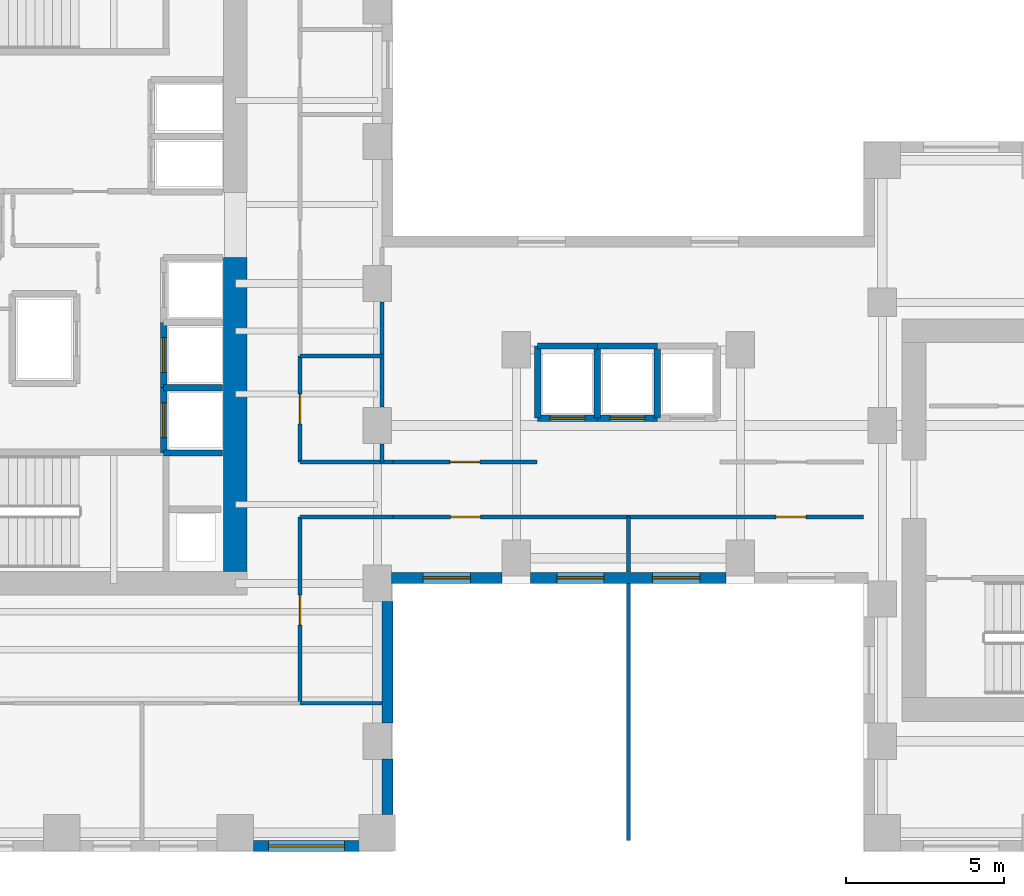
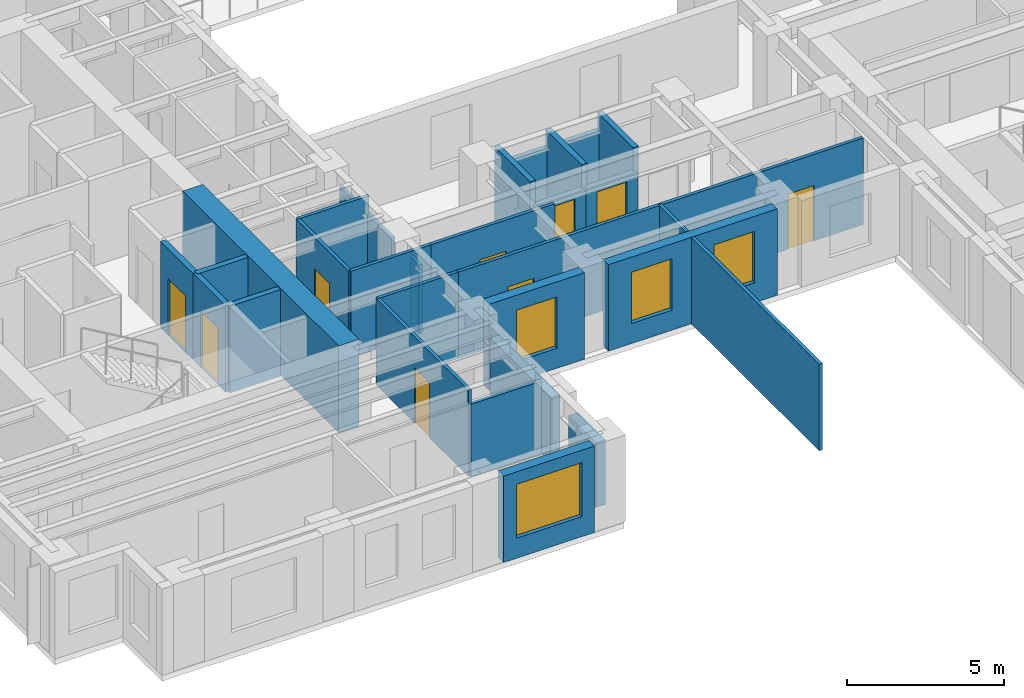
# One storey, part 4 of 11: 30 walls, 9 doors, 4 windows, 13 openings.
"""IFC4 building model written with IfcOpenShell, lengths in metres."""

import ifcopenshell
import ifcopenshell.guid

model = None  # the IFC model being written
_history = None  # IfcOwnerHistory: only IFC2X3 demands one
_inside = {}  # id of a spatial element -> (the spatial element, [elements in it])
_under = {}  # id of a project, library or spatial element -> (it, [spatial elements below it])
_declared = {}  # id of a project -> (the project, [libraries it declares])
_typed = {}  # id of a type object -> (the type object, [elements of that type])
_made_of = {}  # id of a material, layer set ... -> (it, [elements and type objects made of it])


def new_model(schema):
    """Start an empty IFC model of exactly this schema.

    Asked for "IFC4X3", IfcOpenShell would pick the latest addendum, in which some entities
    have other attributes; the version numbers below select the first issue.
    IFC2X3 requires an IfcOwnerHistory on every rooted entity: one is made here for all.
    """
    global model, _history
    if schema == "IFC4X3":
        model = ifcopenshell.file(schema_version=(4, 3, 0, 0))
    else:
        model = ifcopenshell.file(schema=schema)
    _inside.clear()
    _under.clear()
    _declared.clear()
    _typed.clear()
    _made_of.clear()
    _history = None
    if model.schema == "IFC2X3":
        org = make("IfcOrganization", Name="unknown")
        user = make(
            "IfcPersonAndOrganization",
            ThePerson=make("IfcPerson", FamilyName="unknown"),
            TheOrganization=org,
        )
        app = make(
            "IfcApplication",
            ApplicationDeveloper=org,
            Version="unknown",
            ApplicationFullName="unknown",
            ApplicationIdentifier="unknown",
        )
        _history = make(
            "IfcOwnerHistory",
            OwningUser=user,
            OwningApplication=app,
            ChangeAction="ADDED",
            CreationDate=0,
        )
    return model


def make(cls, **values):
    """One entity of the class cls with the attributes given. An attribute that is None is left unset."""
    return model.create_entity(
        cls, **{name: value for name, value in values.items() if value is not None}
    )


def rooted(cls, **values):
    """An entity with a GlobalId (a new one), such as an element, a storey or a relation."""
    return make(cls, GlobalId=ifcopenshell.guid.new(), OwnerHistory=_history, **values)


def si_unit(unit_type, name, prefix=None):
    """IfcSIUnit, for example si_unit("LENGTHUNIT", "METRE", prefix="MILLI")."""
    return make("IfcSIUnit", UnitType=unit_type, Prefix=prefix, Name=name)


def assignment(units):
    """IfcUnitAssignment: the units of a project."""
    return None if units is None else make("IfcUnitAssignment", Units=units)


def point(xyz):
    """IfcCartesianPoint."""
    return None if xyz is None else make("IfcCartesianPoint", Coordinates=xyz)


def direction(xyz):
    """IfcDirection."""
    return None if xyz is None else make("IfcDirection", DirectionRatios=xyz)


def frame(location, z_axis=None, x_axis=None):
    """IfcAxis2Placement3D, a coordinate frame: its origin and axes. An axis left out is left unset."""
    return make(
        "IfcAxis2Placement3D",
        Location=point(location),
        Axis=direction(z_axis),
        RefDirection=direction(x_axis),
    )


def frame_2d(location, x_axis=None):
    """IfcAxis2Placement2D, a coordinate frame in the plane: its origin and x axis."""
    return make(
        "IfcAxis2Placement2D", Location=point(location), RefDirection=direction(x_axis)
    )


def origin():
    """The frame at (0, 0, 0) with its axes left unset."""
    return frame((0.0, 0.0, 0.0))


def place(relative_to, where):
    """IfcLocalPlacement: puts the frame where relative to a parent placement (None: the world)."""
    return make(
        "IfcLocalPlacement", PlacementRelTo=relative_to, RelativePlacement=where
    )


def context(
    kind, dimensions, precision=None, world=None, true_north=None, identifier=None
):
    """IfcGeometricRepresentationContext, for example the 3D "Model" context."""
    return make(
        "IfcGeometricRepresentationContext",
        ContextIdentifier=identifier,
        ContextType=kind,
        CoordinateSpaceDimension=dimensions,
        Precision=precision,
        WorldCoordinateSystem=world,
        TrueNorth=true_north,
    )


def subcontext(parent, identifier, kind, view, scale=None):
    """IfcGeometricRepresentationSubContext, for example "Body" below "Model"."""
    return make(
        "IfcGeometricRepresentationSubContext",
        ContextIdentifier=identifier,
        ContextType=kind,
        ParentContext=parent,
        TargetScale=scale,
        TargetView=view,
    )


def project(units=None, contexts=None):
    """IfcProject with its units and contexts."""
    return rooted(
        "IfcProject",
        Name="project",
        RepresentationContexts=contexts,
        UnitsInContext=assignment(units),
    )


def spatial(cls, under=None, at=None, **own):
    """A site, building, storey or space (cls), placed at a placement, below another one or the project."""
    s = rooted(cls, ObjectPlacement=at, **own)
    if under is not None:
        _under.setdefault(under.id(), (under, []))[1].append(s)
    return s


def profile(cls, at=None, kind="AREA", **sizes):
    """A parametric profile (cls). Its sizes go by their IFC names, for example OverallWidth=200.0."""
    return make(cls, ProfileType=kind, Position=at, **sizes)


def rectangle(**sizes):
    """IfcRectangleProfileDef."""
    return profile("IfcRectangleProfileDef", **sizes)


def extrude(swept, where, along, depth):
    """IfcExtrudedAreaSolid: the profile swept, set in the frame where, extruded along a direction by depth."""
    return make(
        "IfcExtrudedAreaSolid",
        SweptArea=swept,
        Position=where,
        ExtrudedDirection=direction(along),
        Depth=depth,
    )


def shape(context_of_items, identifier, shape_type, items):
    """IfcShapeRepresentation: the items that make up one representation, for example the "Body"."""
    return make(
        "IfcShapeRepresentation",
        ContextOfItems=context_of_items,
        RepresentationIdentifier=identifier,
        RepresentationType=shape_type,
        Items=items,
    )


def source(mapping_origin, context_of_items, identifier, shape_type, items):
    """IfcRepresentationMap: a shape defined once, which mapped items show again and again."""
    return make(
        "IfcRepresentationMap",
        MappingOrigin=mapping_origin,
        MappedRepresentation=shape(context_of_items, identifier, shape_type, items),
    )


def transform(
    local_origin,
    x_axis=None,
    y_axis=None,
    z_axis=None,
    scale=None,
    scale2=None,
    scale3=None,
    uniform=True,
):
    """IfcCartesianTransformationOperator3D, or its non-uniform kind. x_axis, y_axis, z_axis: its Axis1, 2, 3."""
    if uniform:
        return make(
            "IfcCartesianTransformationOperator3D",
            Axis1=direction(x_axis),
            Axis2=direction(y_axis),
            LocalOrigin=point(local_origin),
            Scale=scale,
            Axis3=direction(z_axis),
        )
    return make(
        "IfcCartesianTransformationOperator3DnonUniform",
        Axis1=direction(x_axis),
        Axis2=direction(y_axis),
        LocalOrigin=point(local_origin),
        Scale=scale,
        Axis3=direction(z_axis),
        Scale2=scale2,
        Scale3=scale3,
    )


def mapped(mapping_source, mapping_target):
    """IfcMappedItem: shows the shape of a source again, moved by a transform."""
    return make(
        "IfcMappedItem", MappingSource=mapping_source, MappingTarget=mapping_target
    )


def material(Name=None, Category=None):
    """IfcMaterial."""
    return make("IfcMaterial", Name=Name, Category=Category)


def layer(
    of_material, thickness, ventilated=None, Name=None, Category=None, Priority=None
):
    """IfcMaterialLayer: one layer of a wall or slab, of a material (None: an air gap)."""
    return make(
        "IfcMaterialLayer",
        Material=of_material,
        LayerThickness=thickness,
        IsVentilated=ventilated,
        Name=Name,
        Category=Category,
        Priority=Priority,
    )


def layer_set(layers, Name=None):
    """IfcMaterialLayerSet."""
    return make("IfcMaterialLayerSet", MaterialLayers=layers, LayerSetName=Name)


def made_of(thing, what):
    """Note that an element or type object is made of a material, layer set ...; save() writes the relation."""
    if what is not None:
        _made_of.setdefault(what.id(), (what, []))[1].append(thing)
    return thing


def type_object(cls, material=None, **own):
    """A type object (cls), such as IfcWallType, which elements share."""
    return made_of(rooted(cls, **own), material)


def element(
    cls,
    number,
    at=None,
    inside=None,
    cuts=None,
    type_object=None,
    material=None,
    context=None,
    identifier="Body",
    shape_type=None,
    held_by="IfcProductDefinitionShape",
    body=None,
    shapes=None,
    **own,
):
    """One element of the class cls, such as IfcWall. Its Tag is "e" and its number.

    at: its placement. inside: the storey or other place that contains it. cuts: it is an
    opening in that element (IfcRelVoidsElement). A single representation is given by context,
    identifier, shape_type and body (its items); several are given by shapes. held_by: the class
    of the entity that holds the representations. save() writes the other relations.
    """
    e = rooted(cls, Tag="e%d" % number, ObjectPlacement=at, **own)
    if body is not None:
        shapes = [shape(context, identifier, shape_type, body)]
    if shapes is not None:
        e.Representation = make(held_by, Representations=shapes)
    if inside is not None:
        _inside.setdefault(inside.id(), (inside, []))[1].append(e)
    if cuts is not None:
        rooted(
            "IfcRelVoidsElement", RelatingBuildingElement=cuts, RelatedOpeningElement=e
        )
    if type_object is not None:
        _typed.setdefault(type_object.id(), (type_object, []))[1].append(e)
    return made_of(e, material)


def fill(opening, filler):
    """IfcRelFillsElement: the door or window that sits in an opening."""
    return rooted(
        "IfcRelFillsElement",
        RelatingOpeningElement=opening,
        RelatedBuildingElement=filler,
    )


def aggregate(whole, parts):
    """IfcRelAggregates: a whole, such as a stair, and the parts it consists of."""
    return rooted("IfcRelAggregates", RelatingObject=whole, RelatedObjects=parts)


def save(model, path):
    """Write the relations noted so far, then the file.

    IfcRelAggregates (storeys below a building ...), IfcRelContainedInSpatialStructure (elements
    in a storey), IfcRelDefinesByType, IfcRelAssociatesMaterial and IfcRelDeclares: one each for
    every whole, place, type object, material and project.
    """
    for whole, parts in _under.values():
        aggregate(whole, parts)
    for where, things in _inside.values():
        rooted(
            "IfcRelContainedInSpatialStructure",
            RelatedElements=things,
            RelatingStructure=where,
        )
    for kind, things in _typed.values():
        rooted("IfcRelDefinesByType", RelatedObjects=things, RelatingType=kind)
    for what, things in _made_of.values():
        rooted("IfcRelAssociatesMaterial", RelatedObjects=things, RelatingMaterial=what)
    for by, libraries in _declared.values():
        rooted("IfcRelDeclares", RelatingContext=by, RelatedDefinitions=libraries)
    model.write(path)


model = new_model("IFC4")

# Units and contexts
model_context = context("Model", 3, precision=1e-05, world=origin(), true_north=direction((0.0, 1.0)))
body_context = subcontext(model_context, "Body", "Model", "MODEL_VIEW")
ifc_project = project(units=[si_unit("LENGTHUNIT", "METRE"), si_unit("AREAUNIT", "SQUARE_METRE"), si_unit("VOLUMEUNIT", "CUBIC_METRE"), si_unit("PLANEANGLEUNIT", "RADIAN"), si_unit("MASSUNIT", "GRAM", prefix="KILO")], contexts=[model_context])

# Site, building, storey
site_placement = place(None, origin())
site = spatial("IfcSite", under=ifc_project, at=site_placement, CompositionType="ELEMENT")
building_placement = place(site_placement, origin())
building = spatial("IfcBuilding", under=site, at=building_placement, Name="Kharzan Plaza Tower", CompositionType="ELEMENT")
storey_placement = place(building_placement, frame((0.0, 0.0, 99.0)))
storey = spatial("IfcBuildingStorey", under=building, at=storey_placement, Name="L26", CompositionType="ELEMENT", Elevation=99.0)

# Wall, opening, window
ifc_material_1 = material(Name="Concrete C40/50", Category="concrete")
ifc_layer_1 = layer(ifc_material_1, 0.35009765625)
ifc_layer_set_1 = layer_set([ifc_layer_1], Name="Concrete C40/50")
wall_type_1 = type_object("IfcWallType", Name="WL-EXT-MAS-Z2", PredefinedType="SOLIDWALL", material=ifc_layer_set_1)
wall_1_placement = place(storey_placement, frame((15.072998046875, 0.175048828125, 0.0), z_axis=(0.0, 0.0, 1.0), x_axis=(1.0, 0.0, 0.0)))
wall_1 = element("IfcWall", 1, at=wall_1_placement, inside=storey, type_object=wall_type_1, Name="L26 Masonry-Frame Exterior Wall 31", PredefinedType="SOLIDWALL", context=body_context, shape_type="SweptSolid", body=[
    extrude(rectangle(XDim=3.35400390625, YDim=0.35009765625, at=frame_2d((1.677001953125, 0.0))), origin(), (0.0, 0.0, 1.0), 3.364990234375),
])
opening_1_placement = place(wall_1_placement, frame((0.47705078125, 0.0, 0.780029296875)))
opening_1 = element("IfcOpeningElement", 2, at=opening_1_placement, cuts=wall_1, Name="Opening W2", PredefinedType="OPENING", context=body_context, shape_type="SweptSolid", body=[
    extrude(rectangle(XDim=2.39990234375, YDim=2.10009765625, at=frame_2d((1.199951171875, 1.050048828125))), frame((0.0, 0.18505859375, 0.0), z_axis=(0.0, -1.0, 0.0), x_axis=(1.0, 0.0, 0.0)), (0.0, 0.0, 1.0), 0.3701171875),
])
ifc_material_2 = material(Name="Low-E Double Glazing", Category="glass")
window_type_1 = type_object("IfcWindowType", Name="WN-REC-2400x2100", PartitioningType="SINGLE_PANEL", PredefinedType="WINDOW", material=ifc_material_2)
shared_shape_1 = source(origin(), body_context, "Body", "SweptSolid", [
    extrude(rectangle(XDim=2.39990234375, YDim=2.10009765625, at=frame_2d((1.199951171875, 1.050048828125))), frame((0.0, 0.030029296875, 0.0), z_axis=(0.0, -1.0, 0.0), x_axis=(1.0, 0.0, 0.0)), (0.0, 0.0, 1.0), 0.06005859375),
])
window_1_placement = place(opening_1_placement, origin())
window_1 = element("IfcWindow", 3, at=window_1_placement, inside=storey, type_object=window_type_1, Name="L26 Wide Recessed Solar-Control Window 31-1", OverallHeight=2.10009765625, OverallWidth=2.39990234375, PartitioningType="SINGLE_PANEL", PredefinedType="WINDOW", context=body_context, shape_type="MappedRepresentation", body=[
    mapped(shared_shape_1, transform((0.0, 0.0, 0.0), x_axis=(1.0, 0.0, 0.0), y_axis=(0.0, 1.0, 0.0), z_axis=(0.0, 0.0, 1.0))),
])
fill(opening_1, window_1)

wall_2_placement = place(storey_placement, frame((19.447998046875, 8.675048828125, 0.0), z_axis=(0.0, 0.0, 1.0), x_axis=(1.0, 0.0, 0.0)))
wall_2 = element("IfcWall", 4, at=wall_2_placement, inside=storey, type_object=wall_type_1, Name="L26 Masonry-Frame Exterior Wall 34", PredefinedType="SOLIDWALL", context=body_context, shape_type="SweptSolid", body=[
    extrude(rectangle(XDim=3.50390625, YDim=0.35009765625, at=frame_2d((1.751953125, 0.0))), origin(), (0.0, 0.0, 1.0), 3.364990234375),
])
opening_2_placement = place(wall_2_placement, frame((1.001953125, 0.0, 0.780029296875)))
opening_2 = element("IfcOpeningElement", 5, at=opening_2_placement, cuts=wall_2, Name="Opening W5", PredefinedType="OPENING", context=body_context, shape_type="SweptSolid", body=[
    extrude(rectangle(XDim=1.5, YDim=2.0, at=frame_2d((0.75, 1.0))), frame((0.0, 0.18505859375, 0.0), z_axis=(0.0, -1.0, 0.0), x_axis=(1.0, 0.0, 0.0)), (0.0, 0.0, 1.0), 0.3701171875),
])
window_type_2 = type_object("IfcWindowType", Name="WN-SLT-1500x2000", PartitioningType="SINGLE_PANEL", PredefinedType="WINDOW", material=ifc_material_2)
shared_shape_2 = source(origin(), body_context, "Body", "SweptSolid", [
    extrude(rectangle(XDim=1.5, YDim=2.0, at=frame_2d((0.75, 1.0))), frame((0.0, 0.030029296875, 0.0), z_axis=(0.0, -1.0, 0.0), x_axis=(1.0, 0.0, 0.0)), (0.0, 0.0, 1.0), 0.06005859375),
])
window_2_placement = place(opening_2_placement, origin())
window_2 = element("IfcWindow", 6, at=window_2_placement, inside=storey, type_object=window_type_2, Name="L26 Recessed Solar-Control Window 34-1", OverallHeight=2.0, OverallWidth=1.5, PartitioningType="SINGLE_PANEL", PredefinedType="WINDOW", context=body_context, shape_type="MappedRepresentation", body=[
    mapped(shared_shape_2, transform((0.0, 0.0, 0.0), x_axis=(1.0, 0.0, 0.0), y_axis=(0.0, 1.0, 0.0), z_axis=(0.0, 0.0, 1.0))),
])
fill(opening_2, window_2)

# Wall, openings, windows
wall_3_placement = place(storey_placement, frame((23.847900390625, 8.675048828125, 0.0), z_axis=(0.0, 0.0, 1.0), x_axis=(1.0, 0.0, 0.0)))
wall_3 = element("IfcWall", 7, at=wall_3_placement, inside=storey, type_object=wall_type_1, Name="L26 Masonry-Frame Exterior Wall 35", PredefinedType="SOLIDWALL", context=body_context, shape_type="SweptSolid", body=[
    extrude(rectangle(XDim=6.2041015625, YDim=0.35009765625, at=frame_2d((3.10205078125, 0.0))), origin(), (0.0, 0.0, 1.0), 3.364990234375),
])
opening_3_placement = place(wall_3_placement, frame((0.8359375, 0.0, 0.780029296875)))
opening_3 = element("IfcOpeningElement", 8, at=opening_3_placement, cuts=wall_3, Name="Opening W5", PredefinedType="OPENING", context=body_context, shape_type="SweptSolid", body=[
    extrude(rectangle(XDim=1.5, YDim=2.0, at=frame_2d((0.75, 1.0))), frame((0.0, 0.18505859375, 0.0), z_axis=(0.0, -1.0, 0.0), x_axis=(1.0, 0.0, 0.0)), (0.0, 0.0, 1.0), 0.3701171875),
])
opening_4_placement = place(wall_3_placement, frame((3.867919921875, 0.0, 0.780029296875)))
opening_4 = element("IfcOpeningElement", 9, at=opening_4_placement, cuts=wall_3, Name="Opening W5", PredefinedType="OPENING", context=body_context, shape_type="SweptSolid", body=[
    extrude(rectangle(XDim=1.5, YDim=2.0, at=frame_2d((0.75, 1.0))), frame((0.0, 0.18505859375, 0.0), z_axis=(0.0, -1.0, 0.0), x_axis=(1.0, 0.0, 0.0)), (0.0, 0.0, 1.0), 0.3701171875),
])
window_3_placement = place(opening_3_placement, origin())
window_3 = element("IfcWindow", 10, at=window_3_placement, inside=storey, type_object=window_type_2, Name="L26 Recessed Solar-Control Window 35-1", OverallHeight=2.0, OverallWidth=1.5, PartitioningType="SINGLE_PANEL", PredefinedType="WINDOW", context=body_context, shape_type="MappedRepresentation", body=[
    mapped(shared_shape_2, transform((0.0, 0.0, 0.0), x_axis=(1.0, 0.0, 0.0), y_axis=(0.0, 1.0, 0.0), z_axis=(0.0, 0.0, 1.0))),
])
fill(opening_3, window_3)
window_4_placement = place(opening_4_placement, origin())
window_4 = element("IfcWindow", 11, at=window_4_placement, inside=storey, type_object=window_type_2, Name="L26 Recessed Solar-Control Window 35-2", OverallHeight=2.0, OverallWidth=1.5, PartitioningType="SINGLE_PANEL", PredefinedType="WINDOW", context=body_context, shape_type="MappedRepresentation", body=[
    mapped(shared_shape_2, transform((0.0, 0.0, 0.0), x_axis=(1.0, 0.0, 0.0), y_axis=(0.0, 1.0, 0.0), z_axis=(0.0, 0.0, 1.0))),
])
fill(opening_4, window_4)

# Wall, opening, door
ifc_material_3 = material(Name="Fire-Rated Gypsum Board Partition", Category="gypsum")
ifc_layer_2 = layer(ifc_material_3, 0.125)
ifc_layer_set_2 = layer_set([ifc_layer_2], Name="Fire-Rated Gypsum Board Partition")
wall_type_2 = type_object("IfcWallType", Name="WL-INT-PART-125", PredefinedType="PARTITIONING", material=ifc_layer_set_2)
wall_4_placement = place(storey_placement, frame((16.550048828125, 12.35009765625, 0.0), z_axis=(0.0, 0.0, 1.0), x_axis=(0.0, 1.0, 0.0)))
wall_4 = element("IfcWall", 12, at=wall_4_placement, inside=storey, type_object=wall_type_2, Name="L26 Interior Partition SH-AEWN1", PredefinedType="PARTITIONING", context=body_context, shape_type="SweptSolid", body=[
    extrude(rectangle(XDim=3.349853515625, YDim=0.125, at=frame_2d((1.6748046875, 0.0))), origin(), (0.0, 0.0, 1.0), 3.364990234375),
])
opening_5_placement = place(wall_4_placement, frame((1.199951171875, 0.0, 0.0)))
opening_5 = element("IfcOpeningElement", 13, at=opening_5_placement, cuts=wall_4, Name="Opening OD1", PredefinedType="OPENING", context=body_context, shape_type="SweptSolid", body=[
    extrude(rectangle(XDim=0.949951171875, YDim=2.14990234375, at=frame_2d((0.47509765625, 1.074951171875))), frame((0.0, 0.072509765625, 0.0), z_axis=(0.0, -1.0, 0.0), x_axis=(1.0, 0.0, 0.0)), (0.0, 0.0, 1.0), 0.14501953125),
])
ifc_material_4 = material(Name="Acoustic Solid-Core Stained Oak", Category="timber")
door_type_1 = type_object("IfcDoorType", Name="DR-OFF-SINGLE", OperationType="NOTDEFINED", PredefinedType="DOOR", material=ifc_material_4)
shared_shape_3 = source(origin(), body_context, "Body", "SweptSolid", [
    extrude(rectangle(XDim=0.949951171875, YDim=2.14990234375, at=frame_2d((0.47509765625, 1.074951171875))), frame((0.0, 0.02490234375, 0.0), z_axis=(0.0, -1.0, 0.0), x_axis=(1.0, 0.0, 0.0)), (0.0, 0.0, 1.0), 0.050048828125),
])
door_1_placement = place(opening_5_placement, origin())
door_1 = element("IfcDoor", 14, at=door_1_placement, inside=storey, type_object=door_type_1, Name="L26 Slot Collaboration Door", OperationType="SINGLE_SWING_LEFT", OverallHeight=2.14990234375, OverallWidth=0.949951171875, PredefinedType="DOOR", context=body_context, shape_type="MappedRepresentation", body=[
    mapped(shared_shape_3, transform((0.0, 0.0, 0.0), x_axis=(1.0, 0.0, 0.0), y_axis=(0.0, 1.0, 0.0), z_axis=(0.0, 0.0, 1.0))),
])
fill(opening_5, door_1)

wall_5_placement = place(storey_placement, frame((16.550048828125, 4.699951171875, 0.0), z_axis=(0.0, 0.0, 1.0), x_axis=(0.0, 1.0, 0.0)))
wall_5 = element("IfcWall", 15, at=wall_5_placement, inside=storey, type_object=wall_type_2, Name="L26 Interior Partition SH-AEWS", PredefinedType="PARTITIONING", context=body_context, shape_type="SweptSolid", body=[
    extrude(rectangle(XDim=5.900146484375, YDim=0.125, at=frame_2d((2.9501953125, 0.0))), origin(), (0.0, 0.0, 1.0), 3.364990234375),
])
opening_6_placement = place(wall_5_placement, frame((2.47509765625, 0.0, 0.0)))
opening_6 = element("IfcOpeningElement", 16, at=opening_6_placement, cuts=wall_5, Name="Opening OD1", PredefinedType="OPENING", context=body_context, shape_type="SweptSolid", body=[
    extrude(rectangle(XDim=0.949951171875, YDim=2.14990234375, at=frame_2d((0.47509765625, 1.074951171875))), frame((0.0, 0.072509765625, 0.0), z_axis=(0.0, -1.0, 0.0), x_axis=(1.0, 0.0, 0.0)), (0.0, 0.0, 1.0), 0.14501953125),
])
door_2_placement = place(opening_6_placement, origin())
door_2 = element("IfcDoor", 17, at=door_2_placement, inside=storey, type_object=door_type_1, Name="L26 Slot South Office Door", OperationType="SINGLE_SWING_RIGHT", OverallHeight=2.14990234375, OverallWidth=0.949951171875, PredefinedType="DOOR", context=body_context, shape_type="MappedRepresentation", body=[
    mapped(shared_shape_3, transform((0.0, 0.0, 0.0), x_axis=(1.0, 0.0, 0.0), y_axis=(0.0, 1.0, 0.0), z_axis=(0.0, 0.0, 1.0))),
])
fill(opening_6, door_2)

wall_6_placement = place(storey_placement, frame((19.5, 12.35009765625, 0.0), z_axis=(0.0, 0.0, 1.0), x_axis=(1.0, 0.0, 0.0)))
wall_6 = element("IfcWall", 18, at=wall_6_placement, inside=storey, type_object=wall_type_2, Name="L26 Interior Partition SH-SPNW1", PredefinedType="PARTITIONING", context=body_context, shape_type="SweptSolid", body=[
    extrude(rectangle(XDim=4.550048828125, YDim=0.125, at=frame_2d((2.27490234375, 0.0))), origin(), (0.0, 0.0, 1.0), 3.364990234375),
])
opening_7_placement = place(wall_6_placement, frame((1.800048828125, 0.0, 0.0)))
opening_7 = element("IfcOpeningElement", 19, at=opening_7_placement, cuts=wall_6, Name="Opening OD1", PredefinedType="OPENING", context=body_context, shape_type="SweptSolid", body=[
    extrude(rectangle(XDim=0.949951171875, YDim=2.14990234375, at=frame_2d((0.47509765625, 1.074951171875))), frame((0.0, 0.072509765625, 0.0), z_axis=(0.0, -1.0, 0.0), x_axis=(1.0, 0.0, 0.0)), (0.0, 0.0, 1.0), 0.14501953125),
])
door_3_placement = place(opening_7_placement, origin())
door_3 = element("IfcDoor", 20, at=door_3_placement, inside=storey, type_object=door_type_1, Name="L26 North-West Spine Door", OperationType="SINGLE_SWING_LEFT", OverallHeight=2.14990234375, OverallWidth=0.949951171875, PredefinedType="DOOR", context=body_context, shape_type="MappedRepresentation", body=[
    mapped(shared_shape_3, transform((0.0, 0.0, 0.0), x_axis=(1.0, 0.0, 0.0), y_axis=(0.0, 1.0, 0.0), z_axis=(0.0, 0.0, 1.0))),
])
fill(opening_7, door_3)

wall_7_placement = place(storey_placement, frame((19.5, 10.60009765625, 0.0), z_axis=(0.0, 0.0, 1.0), x_axis=(1.0, 0.0, 0.0)))
wall_7 = element("IfcWall", 21, at=wall_7_placement, inside=storey, type_object=wall_type_2, Name="L26 Interior Partition SH-SPS1", PredefinedType="PARTITIONING", context=body_context, shape_type="SweptSolid", body=[
    extrude(rectangle(XDim=7.449951171875, YDim=0.125, at=frame_2d((3.72509765625, 0.0))), origin(), (0.0, 0.0, 1.0), 3.364990234375),
])
opening_8_placement = place(wall_7_placement, frame((1.8173828125, 0.0, 0.0)))
opening_8 = element("IfcOpeningElement", 22, at=opening_8_placement, cuts=wall_7, Name="Opening OD1", PredefinedType="OPENING", context=body_context, shape_type="SweptSolid", body=[
    extrude(rectangle(XDim=0.949951171875, YDim=2.14990234375, at=frame_2d((0.47509765625, 1.074951171875))), frame((0.0, 0.072509765625, 0.0), z_axis=(0.0, -1.0, 0.0), x_axis=(1.0, 0.0, 0.0)), (0.0, 0.0, 1.0), 0.14501953125),
])
door_4_placement = place(opening_8_placement, origin())
door_4 = element("IfcDoor", 23, at=door_4_placement, inside=storey, type_object=door_type_1, Name="L26 South Spine West Door", OperationType="SINGLE_SWING_LEFT", OverallHeight=2.14990234375, OverallWidth=0.949951171875, PredefinedType="DOOR", context=body_context, shape_type="MappedRepresentation", body=[
    mapped(shared_shape_3, transform((0.0, 0.0, 0.0), x_axis=(1.0, 0.0, 0.0), y_axis=(0.0, 1.0, 0.0), z_axis=(0.0, 0.0, 1.0))),
])
fill(opening_8, door_4)

wall_8_placement = place(storey_placement, frame((26.949951171875, 10.60009765625, 0.0), z_axis=(0.0, 0.0, 1.0), x_axis=(1.0, 0.0, 0.0)))
wall_8 = element("IfcWall", 24, at=wall_8_placement, inside=storey, type_object=wall_type_2, Name="L26 Interior Partition SH-SPS2", PredefinedType="PARTITIONING", context=body_context, shape_type="SweptSolid", body=[
    extrude(rectangle(XDim=7.449951171875, YDim=0.125, at=frame_2d((3.72509765625, 0.0))), origin(), (0.0, 0.0, 1.0), 3.364990234375),
])
opening_9_placement = place(wall_8_placement, frame((4.6826171875, 0.0, 0.0)))
opening_9 = element("IfcOpeningElement", 25, at=opening_9_placement, cuts=wall_8, Name="Opening OD1", PredefinedType="OPENING", context=body_context, shape_type="SweptSolid", body=[
    extrude(rectangle(XDim=0.949951171875, YDim=2.14990234375, at=frame_2d((0.47509765625, 1.074951171875))), frame((0.0, 0.072509765625, 0.0), z_axis=(0.0, -1.0, 0.0), x_axis=(1.0, 0.0, 0.0)), (0.0, 0.0, 1.0), 0.14501953125),
])
door_5_placement = place(opening_9_placement, origin())
door_5 = element("IfcDoor", 26, at=door_5_placement, inside=storey, type_object=door_type_1, Name="L26 South Spine East Door", OperationType="SINGLE_SWING_RIGHT", OverallHeight=2.14990234375, OverallWidth=0.949951171875, PredefinedType="DOOR", context=body_context, shape_type="MappedRepresentation", body=[
    mapped(shared_shape_3, transform((0.0, 0.0, 0.0), x_axis=(1.0, 0.0, 0.0), y_axis=(0.0, 1.0, 0.0), z_axis=(0.0, 0.0, 1.0))),
])
fill(opening_9, door_5)

ifc_layer_3 = layer(ifc_material_1, 0.199951171875)
ifc_layer_set_3 = layer_set([ifc_layer_3], Name="Concrete C40/50")
wall_type_3 = type_object("IfcWallType", Name="WL-INT-SHAFT-200", PredefinedType="PARTITIONING", material=ifc_layer_set_3)
wall_9_placement = place(storey_placement, frame((12.22998046875, 12.6298828125, 0.0), z_axis=(0.0, 0.0, 1.0), x_axis=(0.0, 1.0, 0.0)))
wall_9 = element("IfcWall", 27, at=wall_9_placement, inside=storey, type_object=wall_type_3, Name="L26 Interior Partition SHF-PL-H1-W", PredefinedType="PARTITIONING", context=body_context, shape_type="SweptSolid", body=[
    extrude(rectangle(XDim=2.070068359375, YDim=0.199951171875, at=frame_2d((1.03515625, 0.0))), origin(), (0.0, 0.0, 1.0), 3.364990234375),
])
opening_10_placement = place(wall_9_placement, frame((0.485107421875, 0.0, 0.0)))
opening_10 = element("IfcOpeningElement", 28, at=opening_10_placement, cuts=wall_9, Name="Opening LD", PredefinedType="OPENING", context=body_context, shape_type="SweptSolid", body=[
    extrude(rectangle(XDim=1.10009765625, YDim=2.199951171875, at=frame_2d((0.550048828125, 1.10009765625))), frame((0.0, 0.10986328125, 0.0), z_axis=(0.0, -1.0, 0.0), x_axis=(1.0, 0.0, 0.0)), (0.0, 0.0, 1.0), 0.219970703125),
])
ifc_material_5 = material(Name="Brushed Stainless Steel", Category="steel")
door_type_2 = type_object("IfcDoorType", Name="DR-LIFT-SLIDE", OperationType="SLIDING_TO_LEFT", PredefinedType="DOOR", material=ifc_material_5)
shared_shape_4 = source(origin(), body_context, "Body", "SweptSolid", [
    extrude(rectangle(XDim=1.10009765625, YDim=2.199951171875, at=frame_2d((0.550048828125, 1.10009765625))), frame((0.0, 0.02490234375, 0.0), z_axis=(0.0, -1.0, 0.0), x_axis=(1.0, 0.0, 0.0)), (0.0, 0.0, 1.0), 0.050048828125),
])
door_6_placement = place(opening_10_placement, origin())
door_6 = element("IfcDoor", 29, at=door_6_placement, inside=storey, type_object=door_type_2, Name="L26 High-Rise Passenger Lift PL-H1 Sliding Landing Door", OperationType="SLIDING_TO_LEFT", OverallHeight=2.199951171875, OverallWidth=1.10009765625, PredefinedType="DOOR", context=body_context, shape_type="MappedRepresentation", body=[
    mapped(shared_shape_4, transform((0.0, 0.0, 0.0), x_axis=(1.0, 0.0, 0.0), y_axis=(0.0, 1.0, 0.0), z_axis=(0.0, 0.0, 1.0))),
])
fill(opening_10, door_6)

wall_10_placement = place(storey_placement, frame((12.22998046875, 14.699951171875, 0.0), z_axis=(0.0, 0.0, 1.0), x_axis=(0.0, 1.0, 0.0)))
wall_10 = element("IfcWall", 30, at=wall_10_placement, inside=storey, type_object=wall_type_3, Name="L26 Interior Partition SHF-PL-H2-W", PredefinedType="PARTITIONING", context=body_context, shape_type="SweptSolid", body=[
    extrude(rectangle(XDim=2.070068359375, YDim=0.199951171875, at=frame_2d((1.03515625, 0.0))), origin(), (0.0, 0.0, 1.0), 3.364990234375),
])
opening_11_placement = place(wall_10_placement, frame((0.485107421875, 0.0, 0.0)))
opening_11 = element("IfcOpeningElement", 31, at=opening_11_placement, cuts=wall_10, Name="Opening LD", PredefinedType="OPENING", context=body_context, shape_type="SweptSolid", body=[
    extrude(rectangle(XDim=1.10009765625, YDim=2.199951171875, at=frame_2d((0.550048828125, 1.10009765625))), frame((0.0, 0.10986328125, 0.0), z_axis=(0.0, -1.0, 0.0), x_axis=(1.0, 0.0, 0.0)), (0.0, 0.0, 1.0), 0.219970703125),
])
door_7_placement = place(opening_11_placement, origin())
door_7 = element("IfcDoor", 32, at=door_7_placement, inside=storey, type_object=door_type_2, Name="L26 High-Rise Passenger Lift PL-H2 Sliding Landing Door", OperationType="SLIDING_TO_LEFT", OverallHeight=2.199951171875, OverallWidth=1.10009765625, PredefinedType="DOOR", context=body_context, shape_type="MappedRepresentation", body=[
    mapped(shared_shape_4, transform((0.0, 0.0, 0.0), x_axis=(1.0, 0.0, 0.0), y_axis=(0.0, 1.0, 0.0), z_axis=(0.0, 0.0, 1.0))),
])
fill(opening_11, door_7)

wall_11_placement = place(storey_placement, frame((24.080078125, 13.72998046875, 0.0), z_axis=(0.0, 0.0, 1.0), x_axis=(1.0, 0.0, 0.0)))
wall_11 = element("IfcWall", 33, at=wall_11_placement, inside=storey, type_object=wall_type_3, Name="L26 Interior Partition SHF-PL-M1-S", PredefinedType="PARTITIONING", context=body_context, shape_type="SweptSolid", body=[
    extrude(rectangle(XDim=1.889892578125, YDim=0.199951171875, at=frame_2d((0.94482421875, 0.0))), origin(), (0.0, 0.0, 1.0), 2.446044921875),
])
opening_12_placement = place(wall_11_placement, frame((0.39501953125, 0.0, 0.0)))
opening_12 = element("IfcOpeningElement", 34, at=opening_12_placement, cuts=wall_11, Name="Opening LD", PredefinedType="OPENING", context=body_context, shape_type="SweptSolid", body=[
    extrude(rectangle(XDim=1.10009765625, YDim=2.199951171875, at=frame_2d((0.550048828125, 1.10009765625))), frame((0.0, 0.10986328125, 0.0), z_axis=(0.0, -1.0, 0.0), x_axis=(1.0, 0.0, 0.0)), (0.0, 0.0, 1.0), 0.219970703125),
])
door_8_placement = place(opening_12_placement, origin())
door_8 = element("IfcDoor", 35, at=door_8_placement, inside=storey, type_object=door_type_2, Name="L26 Mid-Rise Passenger Lift PL-M1 Sliding Landing Door", OperationType="SLIDING_TO_LEFT", OverallHeight=2.199951171875, OverallWidth=1.10009765625, PredefinedType="DOOR", context=body_context, shape_type="MappedRepresentation", body=[
    mapped(shared_shape_4, transform((0.0, 0.0, 0.0), x_axis=(1.0, 0.0, 0.0), y_axis=(0.0, 1.0, 0.0), z_axis=(0.0, 0.0, 1.0))),
])
fill(opening_12, door_8)

wall_12_placement = place(storey_placement, frame((25.97998046875, 13.72998046875, 0.0), z_axis=(0.0, 0.0, 1.0), x_axis=(1.0, 0.0, 0.0)))
wall_12 = element("IfcWall", 36, at=wall_12_placement, inside=storey, type_object=wall_type_3, Name="L26 Interior Partition SHF-PL-M2-S", PredefinedType="PARTITIONING", context=body_context, shape_type="SweptSolid", body=[
    extrude(rectangle(XDim=1.89013671875, YDim=0.199951171875, at=frame_2d((0.945068359375, 0.0))), origin(), (0.0, 0.0, 1.0), 2.446044921875),
])
opening_13_placement = place(wall_12_placement, frame((0.39501953125, 0.0, 0.0)))
opening_13 = element("IfcOpeningElement", 37, at=opening_13_placement, cuts=wall_12, Name="Opening LD", PredefinedType="OPENING", context=body_context, shape_type="SweptSolid", body=[
    extrude(rectangle(XDim=1.10009765625, YDim=2.199951171875, at=frame_2d((0.550048828125, 1.10009765625))), frame((0.0, 0.10986328125, 0.0), z_axis=(0.0, -1.0, 0.0), x_axis=(1.0, 0.0, 0.0)), (0.0, 0.0, 1.0), 0.219970703125),
])
door_9_placement = place(opening_13_placement, origin())
door_9 = element("IfcDoor", 38, at=door_9_placement, inside=storey, type_object=door_type_2, Name="L26 Mid-Rise Passenger Lift PL-M2 Sliding Landing Door", OperationType="SLIDING_TO_LEFT", OverallHeight=2.199951171875, OverallWidth=1.10009765625, PredefinedType="DOOR", context=body_context, shape_type="MappedRepresentation", body=[
    mapped(shared_shape_4, transform((0.0, 0.0, 0.0), x_axis=(1.0, 0.0, 0.0), y_axis=(0.0, 1.0, 0.0), z_axis=(0.0, 0.0, 1.0))),
])
fill(opening_13, door_9)

# Walls
shared_shape_5 = source(origin(), body_context, "Body", "SweptSolid", [
    extrude(rectangle(XDim=2.949951171875, YDim=0.125, at=frame_2d((1.47509765625, 0.0))), origin(), (0.0, 0.0, 1.0), 3.364990234375),
])
for number, where, z_axis, x_axis, name in (
    (39, (16.550048828125, 12.35009765625, 0.0), (0.0, 0.0, 1.0), (1.0, 0.0, 0.0), "L26 Interior Partition SH-SPNW0"),
    (40, (16.550048828125, 10.60009765625, 0.0), (0.0, 0.0, 1.0), (1.0, 0.0, 0.0), "L26 Interior Partition SH-SPS0"),
):
    element("IfcWall", number, at=place(storey_placement, frame(where, z_axis=z_axis, x_axis=x_axis)), inside=storey, type_object=wall_type_2, Name=name, PredefinedType="PARTITIONING", context=body_context, shape_type="MappedRepresentation", body=[
        mapped(shared_shape_5, transform((0.0, 0.0, 0.0), x_axis=(1.0, 0.0, 0.0), y_axis=(0.0, 1.0, 0.0), z_axis=(0.0, 0.0, 1.0))),
    ])
shared_shape_6 = source(origin(), body_context, "Body", "SweptSolid", [
    extrude(rectangle(XDim=2.597900390625, YDim=0.125, at=frame_2d((1.298828125, 0.0))), origin(), (0.0, 0.0, 1.0), 2.827880859375),
])
wall_13_placement = place(storey_placement, frame((16.550048828125, 4.699951171875, 0.0), z_axis=(0.0, 0.0, 1.0), x_axis=(1.0, 0.0, 0.0)))
element("IfcWall", 41, at=wall_13_placement, inside=storey, type_object=wall_type_2, Name="L26 Interior Partition SH-SSE-2", PredefinedType="PARTITIONING", context=body_context, shape_type="MappedRepresentation", body=[
    mapped(shared_shape_6, transform((0.0, 0.0, 0.0), x_axis=(1.0, 0.0, 0.0), y_axis=(0.0, 1.0, 0.0), z_axis=(0.0, 0.0, 1.0))),
])
shared_shape_7 = source(origin(), body_context, "Body", "SweptSolid", [
    extrude(rectangle(XDim=2.2900390625, YDim=0.199951171875, at=frame_2d((1.14501953125, 0.0))), origin(), (0.0, 0.0, 1.0), 3.364990234375),
])
for number, where, z_axis, x_axis, name in (
    (42, (25.969970703125, 13.72998046875, 0.0), (0.0, 0.0, 1.0), (0.0, 1.0, 0.0), "L26 Interior Partition SHF-PL-M1-E"),
    (43, (24.080078125, 13.72998046875, 0.0), (0.0, 0.0, 1.0), (0.0, 1.0, 0.0), "L26 Interior Partition SHF-PL-M1-W"),
    (44, (27.8701171875, 13.72998046875, 0.0), (0.0, 0.0, 1.0), (0.0, 1.0, 0.0), "L26 Interior Partition SHF-PL-M2-E"),
):
    element("IfcWall", number, at=place(storey_placement, frame(where, z_axis=z_axis, x_axis=x_axis)), inside=storey, type_object=wall_type_3, Name=name, PredefinedType="PARTITIONING", context=body_context, shape_type="MappedRepresentation", body=[
        mapped(shared_shape_7, transform((0.0, 0.0, 0.0), x_axis=(1.0, 0.0, 0.0), y_axis=(0.0, 1.0, 0.0), z_axis=(0.0, 0.0, 1.0))),
    ])
shared_shape_8 = source(origin(), body_context, "Body", "SweptSolid", [
    extrude(rectangle(XDim=8.14794921875, YDim=0.125, at=frame_2d((4.073974609375, 0.0))), origin(), (0.0, 0.0, 1.0), 3.364990234375),
])
wall_14_placement = place(storey_placement, frame((26.949951171875, 0.35009765625, 0.0), z_axis=(0.0, 0.0, 1.0), x_axis=(0.0, 1.0, 0.0)))
element("IfcWall", 45, at=wall_14_placement, inside=storey, type_object=wall_type_2, Name="L26 Interior Partition SH-SPSV1-S1", PredefinedType="PARTITIONING", context=body_context, shape_type="MappedRepresentation", body=[
    mapped(shared_shape_8, transform((0.0, 0.0, 0.0), x_axis=(1.0, 0.0, 0.0), y_axis=(0.0, 1.0, 0.0), z_axis=(0.0, 0.0, 1.0))),
])
shared_shape_9 = source(origin(), body_context, "Body", "SweptSolid", [
    extrude(rectangle(XDim=1.748046875, YDim=0.125, at=frame_2d((0.8740234375, 0.0))), origin(), (0.0, 0.0, 1.0), 3.364990234375),
])
wall_15_placement = place(storey_placement, frame((26.949951171875, 8.85205078125, 0.0), z_axis=(0.0, 0.0, 1.0), x_axis=(0.0, 1.0, 0.0)))
element("IfcWall", 46, at=wall_15_placement, inside=storey, type_object=wall_type_2, Name="L26 Interior Partition SH-SPSV1-S2", PredefinedType="PARTITIONING", context=body_context, shape_type="MappedRepresentation", body=[
    mapped(shared_shape_9, transform((0.0, 0.0, 0.0), x_axis=(1.0, 0.0, 0.0), y_axis=(0.0, 1.0, 0.0), z_axis=(0.0, 0.0, 1.0))),
])
shared_shape_10 = source(origin(), body_context, "Body", "SweptSolid", [
    extrude(rectangle(XDim=2.599853515625, YDim=0.125, at=frame_2d((1.2998046875, 0.0))), origin(), (0.0, 0.0, 1.0), 3.364990234375),
])
wall_16_placement = place(storey_placement, frame((16.550048828125, 15.699951171875, 0.0), z_axis=(0.0, 0.0, 1.0), x_axis=(1.0, 0.0, 0.0)))
element("IfcWall", 47, at=wall_16_placement, inside=storey, type_object=wall_type_2, Name="L26 Interior Partition SH-AEH-157", PredefinedType="PARTITIONING", context=body_context, shape_type="MappedRepresentation", body=[
    mapped(shared_shape_10, transform((0.0, 0.0, 0.0), x_axis=(1.0, 0.0, 0.0), y_axis=(0.0, 1.0, 0.0), z_axis=(0.0, 0.0, 1.0))),
])
shared_shape_11 = source(origin(), body_context, "Body", "SweptSolid", [
    extrude(rectangle(XDim=1.75390625, YDim=0.35009765625, at=frame_2d((0.876953125, 0.0))), origin(), (0.0, 0.0, 1.0), 2.51904296875),
])
wall_17_placement = place(storey_placement, frame((19.324951171875, 1.173095703125, 0.0), z_axis=(0.0, 0.0, 1.0), x_axis=(0.0, 1.0, 0.0)))
element("IfcWall", 48, at=wall_17_placement, inside=storey, type_object=wall_type_1, Name="L26 Masonry-Frame Exterior Wall 32", PredefinedType="SOLIDWALL", context=body_context, shape_type="MappedRepresentation", body=[
    mapped(shared_shape_11, transform((0.0, 0.0, 0.0), x_axis=(1.0, 0.0, 0.0), y_axis=(0.0, 1.0, 0.0), z_axis=(0.0, 0.0, 1.0))),
])
shared_shape_12 = source(origin(), body_context, "Body", "SweptSolid", [
    extrude(rectangle(XDim=0.559814453125, YDim=0.125, at=frame_2d((0.27978515625, 0.0))), origin(), (0.0, 0.0, 1.0), 2.677001953125),
])
wall_18_placement = place(storey_placement, frame((19.14990234375, 12.35009765625, 0.0), z_axis=(0.0, 0.0, 1.0), x_axis=(0.0, 1.0, 0.0)))
element("IfcWall", 49, at=wall_18_placement, inside=storey, type_object=wall_type_2, Name="L26 Interior Partition SH-AEN-DIV-S1", PredefinedType="PARTITIONING", context=body_context, shape_type="MappedRepresentation", body=[
    mapped(shared_shape_12, transform((0.0, 0.0, 0.0), x_axis=(1.0, 0.0, 0.0), y_axis=(0.0, 1.0, 0.0), z_axis=(0.0, 0.0, 1.0))),
])
shared_shape_13 = source(origin(), body_context, "Body", "SweptSolid", [
    extrude(rectangle(XDim=3.31982421875, YDim=0.125, at=frame_2d((1.659912109375, 0.0))), origin(), (0.0, 0.0, 1.0), 2.677001953125),
])
wall_19_placement = place(storey_placement, frame((19.14990234375, 14.090087890625, 0.0), z_axis=(0.0, 0.0, 1.0), x_axis=(0.0, 1.0, 0.0)))
element("IfcWall", 50, at=wall_19_placement, inside=storey, type_object=wall_type_2, Name="L26 Interior Partition SH-AEN-DIV-S2", PredefinedType="PARTITIONING", context=body_context, shape_type="MappedRepresentation", body=[
    mapped(shared_shape_13, transform((0.0, 0.0, 0.0), x_axis=(1.0, 0.0, 0.0), y_axis=(0.0, 1.0, 0.0), z_axis=(0.0, 0.0, 1.0))),
])
shared_shape_14 = source(origin(), body_context, "Body", "SweptSolid", [
    extrude(rectangle(XDim=1.864990234375, YDim=0.199951171875, at=frame_2d((0.9326171875, 0.0))), origin(), (0.0, 0.0, 1.0), 3.364990234375),
])
for number, where, z_axis, x_axis, name in (
    (51, (12.22998046875, 14.699951171875, 0.0), (0.0, 0.0, 1.0), (1.0, 0.0, 0.0), "L26 Interior Partition SHF-PL-H1-N"),
    (52, (12.22998046875, 12.6298828125, 0.0), (0.0, 0.0, 1.0), (1.0, 0.0, 0.0), "L26 Interior Partition SHF-PL-H1-S"),
):
    element("IfcWall", number, at=place(storey_placement, frame(where, z_axis=z_axis, x_axis=x_axis)), inside=storey, type_object=wall_type_3, Name=name, PredefinedType="PARTITIONING", context=body_context, shape_type="MappedRepresentation", body=[
        mapped(shared_shape_14, transform((0.0, 0.0, 0.0), x_axis=(1.0, 0.0, 0.0), y_axis=(0.0, 1.0, 0.0), z_axis=(0.0, 0.0, 1.0))),
    ])
shared_shape_15 = source(origin(), body_context, "Body", "SweptSolid", [
    extrude(rectangle(XDim=1.889892578125, YDim=0.199951171875, at=frame_2d((0.94482421875, 0.0))), origin(), (0.0, 0.0, 1.0), 2.677001953125),
])
wall_20_placement = place(storey_placement, frame((24.080078125, 16.02001953125, 0.0), z_axis=(0.0, 0.0, 1.0), x_axis=(1.0, 0.0, 0.0)))
element("IfcWall", 53, at=wall_20_placement, inside=storey, type_object=wall_type_3, Name="L26 Interior Partition SHF-PL-M1-N", PredefinedType="PARTITIONING", context=body_context, shape_type="MappedRepresentation", body=[
    mapped(shared_shape_15, transform((0.0, 0.0, 0.0), x_axis=(1.0, 0.0, 0.0), y_axis=(0.0, 1.0, 0.0), z_axis=(0.0, 0.0, 1.0))),
])
shared_shape_16 = source(origin(), body_context, "Body", "SweptSolid", [
    extrude(rectangle(XDim=1.89013671875, YDim=0.199951171875, at=frame_2d((0.945068359375, 0.0))), origin(), (0.0, 0.0, 1.0), 2.677001953125),
])
wall_21_placement = place(storey_placement, frame((25.97998046875, 16.02001953125, 0.0), z_axis=(0.0, 0.0, 1.0), x_axis=(1.0, 0.0, 0.0)))
element("IfcWall", 54, at=wall_21_placement, inside=storey, type_object=wall_type_3, Name="L26 Interior Partition SHF-PL-M2-N", PredefinedType="PARTITIONING", context=body_context, shape_type="MappedRepresentation", body=[
    mapped(shared_shape_16, transform((0.0, 0.0, 0.0), x_axis=(1.0, 0.0, 0.0), y_axis=(0.0, 1.0, 0.0), z_axis=(0.0, 0.0, 1.0))),
])
ifc_material_6 = material(Name="Concrete C60/75", Category="concrete")
ifc_layer_4 = layer(ifc_material_6, 0.75)
ifc_layer_set_4 = layer_set([ifc_layer_4], Name="Concrete C60/75")
wall_type_4 = type_object("IfcWallType", Name="WL-CORE-750", PredefinedType="SHEAR", material=ifc_layer_set_4)
shared_shape_17 = source(origin(), body_context, "Body", "SweptSolid", [
    extrude(rectangle(XDim=9.945068359375, YDim=0.75, at=frame_2d((4.97265625, 0.0))), origin(), (0.0, 0.0, 1.0), 3.3798828125),
])
wall_22_placement = place(storey_placement, frame((14.5, 8.875, 0.0), z_axis=(0.0, 0.0, 1.0), x_axis=(0.0, 1.0, 0.0)))
element("IfcWall", 55, at=wall_22_placement, inside=storey, type_object=wall_type_4, Name="L26 CORE-A east shear pier 1", PredefinedType="SHEAR", context=body_context, shape_type="MappedRepresentation", body=[
    mapped(shared_shape_17, transform((0.0, 0.0, 0.0), x_axis=(1.0, 0.0, 0.0), y_axis=(0.0, 1.0, 0.0), z_axis=(0.0, 0.0, 1.0))),
])
shared_shape_18 = source(origin(), body_context, "Body", "SweptSolid", [
    extrude(rectangle(XDim=3.85400390625, YDim=0.35009765625, at=frame_2d((1.927001953125, 0.0))), origin(), (0.0, 0.0, 1.0), 2.51904296875),
])
wall_23_placement = place(storey_placement, frame((19.324951171875, 4.072998046875, 0.0), z_axis=(0.0, 0.0, 1.0), x_axis=(0.0, 1.0, 0.0)))
element("IfcWall", 56, at=wall_23_placement, inside=storey, type_object=wall_type_1, Name="L26 Masonry-Frame Exterior Wall 33", PredefinedType="SOLIDWALL", context=body_context, shape_type="MappedRepresentation", body=[
    mapped(shared_shape_18, transform((0.0, 0.0, 0.0), x_axis=(1.0, 0.0, 0.0), y_axis=(0.0, 1.0, 0.0), z_axis=(0.0, 0.0, 1.0))),
])

save(model, "model.ifc")
